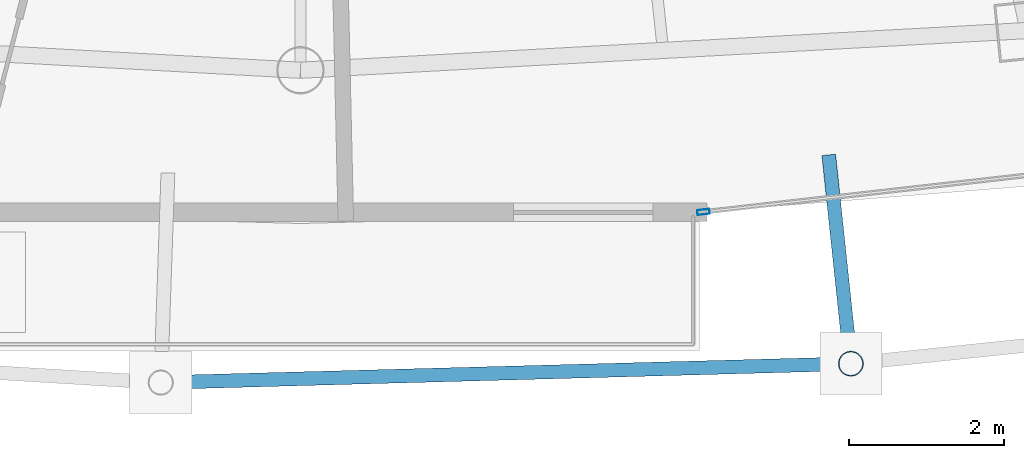
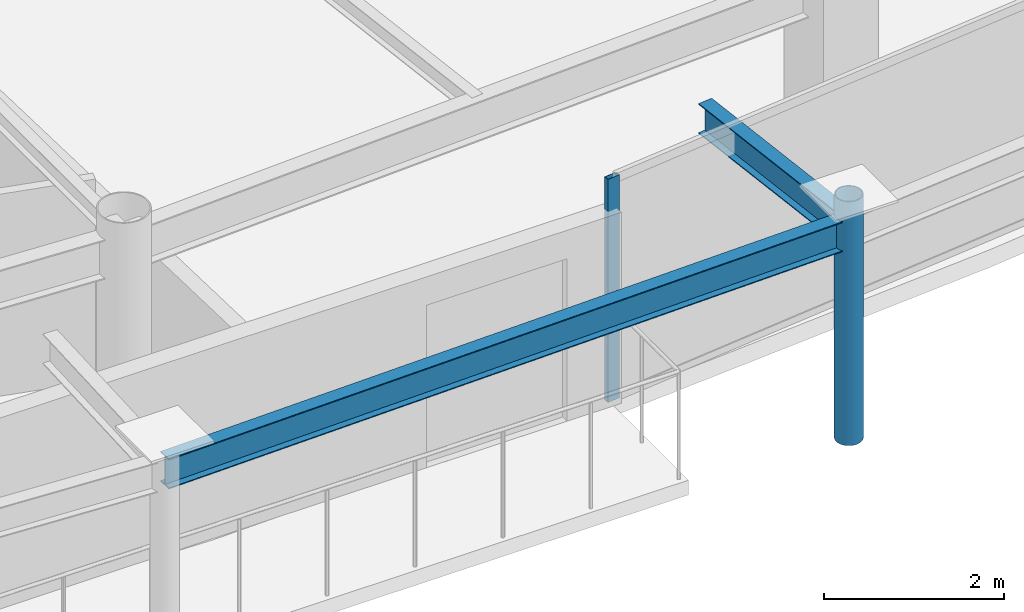
# One storey, part 8 of 30: 2 beams, 2 members, 1 element without a shape of its own.
"""IFC4 building model written with IfcOpenShell, lengths in metres."""

from ifc_helpers import new_model, si_unit, direction, frame, origin, origin_2d, place, context, subcontext, project, spatial, hollow_rectangle, hollow_circle, i_section, extrude, material, layer, layer_set, material_profile, profile_set, type_object, element, aggregate, save


model = new_model("IFC4")

# Units and contexts
model_context = context("Model", 3, precision=1e-05, world=origin(), true_north=direction((0.0, 1.0)))
body_context = subcontext(model_context, "Body", "Model", "MODEL_VIEW")
ifc_project = project(units=[si_unit("LENGTHUNIT", "METRE"), si_unit("AREAUNIT", "SQUARE_METRE"), si_unit("VOLUMEUNIT", "CUBIC_METRE"), si_unit("PLANEANGLEUNIT", "RADIAN"), si_unit("MASSUNIT", "GRAM", prefix="KILO")], contexts=[model_context])

# Site, building, storey
site_placement = place(None, origin())
site = spatial("IfcSite", under=ifc_project, at=site_placement, CompositionType="ELEMENT")
building_placement = place(site_placement, origin())
building = spatial("IfcBuilding", under=site, at=building_placement, Name="Orvanel Arch Residences", CompositionType="ELEMENT")
storey_placement = place(building_placement, frame((0.0, 0.0, 232.699951171875)))
storey = spatial("IfcBuildingStorey", under=building, at=storey_placement, Name="L66", CompositionType="ELEMENT", Elevation=232.699951171875)

# Curtain wall, member
ifc_material_1 = material(Name="Bronze-anodised aluminium AA6063-T6", Category="aluminium")
ifc_layer = layer(ifc_material_1, 0.175048828125)
ifc_layer_set = layer_set([ifc_layer], Name="Bronze-anodised aluminium AA6063-T6")
curtain_wall_type = type_object("IfcCurtainWallType", Name="CW4-HI-SYS", PredefinedType="NOTDEFINED", material=ifc_layer_set)
curtain_wall_placement = place(storey_placement, origin())
curtain_wall = element("IfcCurtainWall", 1, at=curtain_wall_placement, inside=storey, type_object=curtain_wall_type, Name="L66 CW4-HI-SYS Unitised Curtain Wall", PredefinedType="NOTDEFINED")
ifc_material_profile_1 = material_profile(ifc_material_1, hollow_rectangle(XDim=0.06494140625, YDim=0.159912109375, WallThickness=0.00390625, at=origin_2d()), Name="ALU160x65x4")
ifc_profile_set_1 = profile_set([ifc_material_profile_1], Name="Bronze-anodised aluminium AA6063-T6")
member_type_1 = type_object("IfcMemberType", Name="MUL-160x65", PredefinedType="MULLION", material=ifc_profile_set_1)
member_1_placement = place(storey_placement, frame((38.1962890625, 5.0166015625, 0.0), z_axis=(0.0, 0.0, 1.0), x_axis=(-0.112578003012, 0.993642890196, 0.0)))
member_1 = element("IfcMember", 2, at=member_1_placement, type_object=member_type_1, Name="CW-S4 mullion 1", PredefinedType="MULLION", context=body_context, shape_type="SweptSolid", body=[
    extrude(hollow_rectangle(XDim=0.06494140625, YDim=0.159912109375, WallThickness=0.00390625, at=origin_2d()), origin(), (0.0, 0.0, 1.0), 3.02001953125),
])
aggregate(curtain_wall, [member_1])

# Beams
ifc_material_2 = material(Name="Structural steel AS/NZS 3679.1 Grade 300 (300 MPa)", Category="steel")
ifc_material_profile_2 = material_profile(ifc_material_2, i_section(OverallWidth=0.177978515625, OverallDepth=0.406005859375, WebThickness=0.0078125, FlangeThickness=0.0126953125, at=origin_2d()), Name="410UB59.7")
ifc_profile_set_2 = profile_set([ifc_material_profile_2], Name="Structural steel AS/NZS 3679.1 Grade 300 (300 MPa)")
beam_type = type_object("IfcBeamType", Name="OB-410UB-EXT", PredefinedType="SPANDREL", material=ifc_profile_set_2)
beam_1_placement = place(storey_placement, frame((31.198974609375, 2.81689453125, 2.817138671875), z_axis=(0.99962679645, 0.027317902905, 0.0), x_axis=(-0.027317902905, 0.99962679645, 0.0)))
element("IfcBeam", 3, at=beam_1_placement, inside=storey, type_object=beam_type, Name="L66 Outer Perimeter Floor Ring Beam 06", PredefinedType="SPANDREL", context=body_context, shape_type="SweptSolid", body=[
    extrude(i_section(OverallWidth=0.177978515625, OverallDepth=0.406005859375, WebThickness=0.0078125, FlangeThickness=0.0126953125, at=origin_2d()), origin(), (0.0, 0.0, 1.0), 8.9013671875),
])
beam_2_placement = place(storey_placement, frame((39.81201171875, 5.7529296875, 2.817138671875), z_axis=(0.105215099878, -0.994449487283, 0.0), x_axis=(0.994449487283, 0.105215099878, 0.0)))
element("IfcBeam", 4, at=beam_2_placement, inside=storey, type_object=beam_type, Name="L66 Outer Frame Radial Tie Beam 07", PredefinedType="SPANDREL", context=body_context, shape_type="SweptSolid", body=[
    extrude(i_section(OverallWidth=0.177978515625, OverallDepth=0.406005859375, WebThickness=0.0078125, FlangeThickness=0.0126953125, at=origin_2d()), origin(), (0.0, 0.0, 1.0), 2.7080078125),
])

# Member
ifc_material_3 = material(Name="Structural steel AS/NZS 1163 C350L0 (Grade 350)", Category="steel")
ifc_material_profile_3 = material_profile(ifc_material_3, hollow_circle(Radius=0.162109375, WallThickness=0.0126953125, at=origin_2d()), Name="CHS324x12.7")
ifc_profile_set_3 = profile_set([ifc_material_profile_3], Name="Structural steel AS/NZS 1163 C350L0 (Grade 350)")
member_type_2 = type_object("IfcMemberType", Name="ST-324CHS-EXT", PredefinedType="STRUT", material=ifc_profile_set_3)
member_2_placement = place(storey_placement, frame((40.096923828125, 3.06005859375, 0.0), z_axis=(0.0, 0.0, 1.0), x_axis=(1.0, 0.0, 0.0)))
element("IfcMember", 5, at=member_2_placement, inside=storey, type_object=member_type_2, Name="L66 Outer Perimeter Frame Post 07", PredefinedType="STRUT", context=body_context, shape_type="SweptSolid", body=[
    extrude(hollow_circle(Radius=0.162109375, WallThickness=0.0126953125, at=origin_2d()), origin(), (0.0, 0.0, 1.0), 3.300048828125),
])

save(model, "model.ifc")
